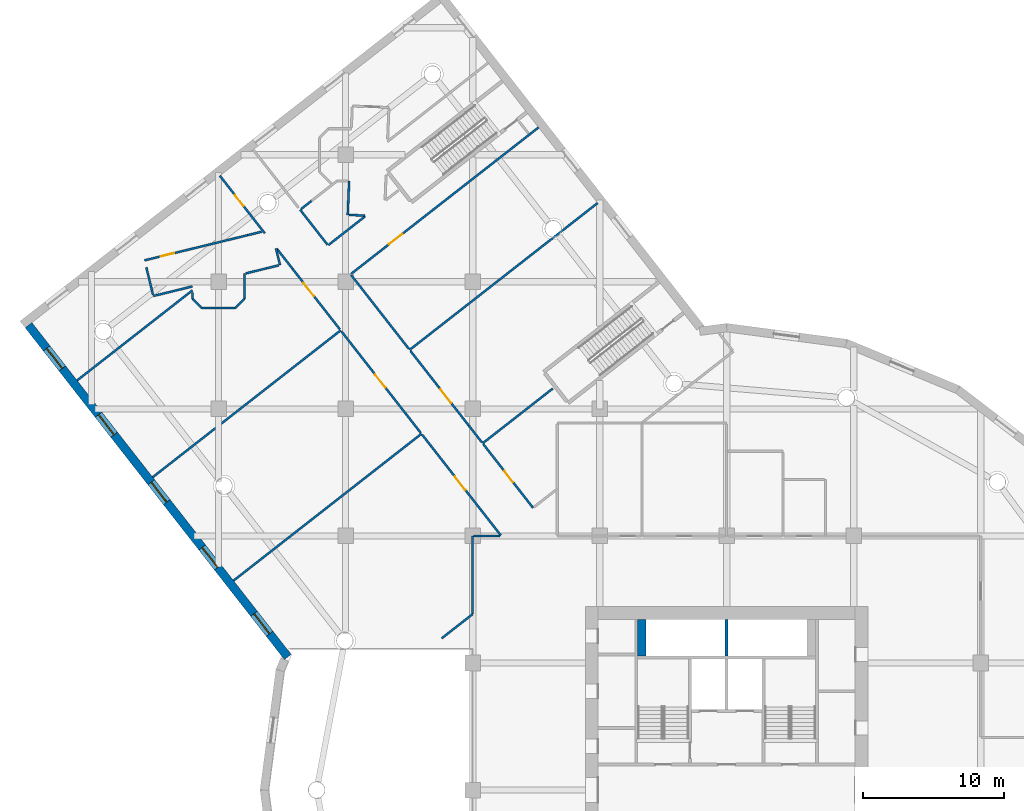
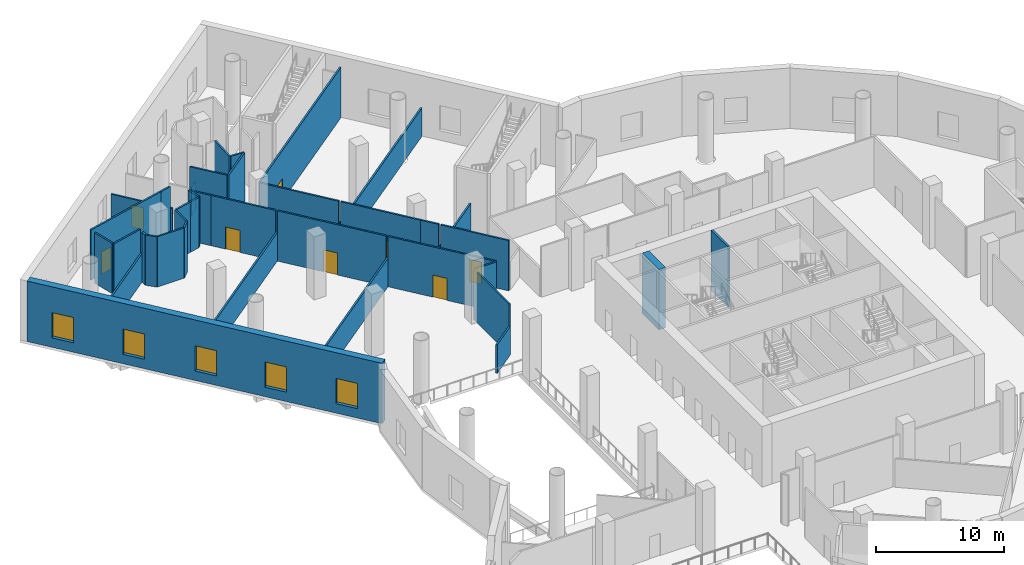
# One storey, part 8 of 24: 38 walls, 8 doors, 5 windows, 13 openings.
"""IFC4 building model written with IfcOpenShell, lengths in metres."""

from ifc_helpers import new_model, si_unit, direction, frame, frame_2d, origin, place, context, subcontext, project, spatial, rectangle, extrude, material, layer, layer_set, type_object, element, fill, save


model = new_model("IFC4")

# Units and contexts
model_context = context("Model", 3, precision=1e-05, world=origin(), true_north=direction((0.0, 1.0)))
body_context = subcontext(model_context, "Body", "Model", "MODEL_VIEW")
ifc_project = project(units=[si_unit("LENGTHUNIT", "METRE"), si_unit("AREAUNIT", "SQUARE_METRE"), si_unit("VOLUMEUNIT", "CUBIC_METRE"), si_unit("PLANEANGLEUNIT", "RADIAN"), si_unit("MASSUNIT", "GRAM", prefix="KILO")], contexts=[model_context])

# Site, building, storey
site_placement = place(None, origin())
site = spatial("IfcSite", under=ifc_project, at=site_placement, CompositionType="ELEMENT")
building_placement = place(site_placement, origin())
building = spatial("IfcBuilding", under=site, at=building_placement, Name="Tarsis Ring Headquarters", CompositionType="ELEMENT")
storey_placement = place(building_placement, frame((0.0, 0.0, 8.0)))
storey = spatial("IfcBuildingStorey", under=building, at=storey_placement, Name="L01", CompositionType="ELEMENT", Elevation=8.0)

# Walls
ifc_material_1 = material(Name="Plasterboard partition")
ifc_layer_1 = layer(ifc_material_1, 0.14990234375)
ifc_layer_set_1 = layer_set([ifc_layer_1], Name="PO-PW150")
wall_type_1 = type_object("IfcWallType", Name="PO-PW150", PredefinedType="PARTITIONING", material=ifc_layer_set_1)
wall_1_placement = place(storey_placement, frame((-21.6220703125, 25.238525390625, 0.0), z_axis=(0.0, 0.0, 1.0), x_axis=(-0.788007728406, -0.615665347386, 0.0)))
element("IfcWall", 1, at=wall_1_placement, inside=storey, type_object=wall_type_1, Name="L01 partition wall 2", PredefinedType="PARTITIONING", context=body_context, shape_type="SweptSolid", body=[
    extrude(rectangle(XDim=16.900146484375, YDim=0.14990234375, at=frame_2d((8.4501953125, 0.0))), origin(), (0.0, 0.0, 1.0), 2.699951171875),
])
wall_2_placement = place(storey_placement, frame((-27.34765625, 32.56689453125, 0.0), z_axis=(0.0, 0.0, 1.0), x_axis=(-0.788014736946, -0.61565637685, 0.0)))
element("IfcWall", 2, at=wall_2_placement, inside=storey, type_object=wall_type_1, Name="L01 partition wall 3", PredefinedType="PARTITIONING", context=body_context, shape_type="SweptSolid", body=[
    extrude(rectangle(XDim=16.89990234375, YDim=0.14990234375, at=frame_2d((8.449951171875, 0.0))), origin(), (0.0, 0.0, 1.0), 2.699951171875),
])
wall_3_placement = place(storey_placement, frame((-9.14208984375, 41.587890625, 0.0), z_axis=(0.0, 0.0, 1.0), x_axis=(-0.788007728406, -0.615665347386, 0.0)))
element("IfcWall", 3, at=wall_3_placement, inside=storey, type_object=wall_type_1, Name="L01 partition wall 4", PredefinedType="PARTITIONING", context=body_context, shape_type="SweptSolid", body=[
    extrude(rectangle(XDim=16.900146484375, YDim=0.14990234375, at=frame_2d((8.4501953125, 0.0))), origin(), (0.0, 0.0, 1.0), 2.699951171875),
])
wall_4_placement = place(storey_placement, frame((-37.85009765625, 35.402099609375, 0.0), z_axis=(0.0, 0.0, 1.0), x_axis=(-0.788009024615, -0.615663688328, 0.0)))
element("IfcWall", 4, at=wall_4_placement, inside=storey, type_object=wall_type_1, Name="L01 partition wall 15", PredefinedType="PARTITIONING", context=body_context, shape_type="SweptSolid", body=[
    extrude(rectangle(XDim=10.369384765625, YDim=0.14990234375, at=frame_2d((5.1845703125, 0.0))), origin(), (0.0, 0.0, 1.0), 2.699951171875),
])
wall_5_placement = place(storey_placement, frame((-12.31884765625, 28.446044921875, 0.0), z_axis=(0.0, 0.0, 1.0), x_axis=(-0.788001481242, -0.615673343227, 0.0)))
element("IfcWall", 5, at=wall_5_placement, inside=storey, type_object=wall_type_1, Name="L01 partition wall 44", PredefinedType="PARTITIONING", context=body_context, shape_type="SweptSolid", body=[
    extrude(rectangle(XDim=6.305908203125, YDim=0.14990234375, at=frame_2d((3.15283203125, 0.0))), origin(), (0.0, 0.0, 1.0), 2.699951171875),
])

# Wall, opening, door
wall_6_placement = place(storey_placement, frame((-32.7236328125, 39.447998046875, 0.0), z_axis=(0.0, 0.0, 1.0), x_axis=(-0.615666044367, 0.788007183859, 0.0)))
wall_6 = element("IfcWall", 6, at=wall_6_placement, inside=storey, type_object=wall_type_1, Name="L01 partition wall 55", PredefinedType="PARTITIONING", context=body_context, shape_type="SweptSolid", body=[
    extrude(rectangle(XDim=5.167724609375, YDim=0.14990234375, at=frame_2d((2.583984375, 0.0))), origin(), (0.0, 0.0, 1.0), 2.699951171875),
])
opening_1_placement = place(wall_6_placement, frame((2.447021484375, 0.0, 0.0)))
opening_1 = element("IfcOpeningElement", 7, at=opening_1_placement, cuts=wall_6, Name="Opening PO-D1A", PredefinedType="OPENING", context=body_context, shape_type="SweptSolid", body=[
    extrude(rectangle(XDim=1.0, YDim=2.10009765625, at=frame_2d((0.5, 1.050048828125))), frame((0.0, 0.0849609375, 0.0), z_axis=(0.0, -1.0, 0.0), x_axis=(1.0, 0.0, 0.0)), (0.0, 0.0, 1.0), 0.169921875),
])
ifc_material_2 = material(Name="Timber door", Category="wood")
door_type_1 = type_object("IfcDoorType", Name="PO-D1000-UNRATED", OperationType="NOTDEFINED", PredefinedType="DOOR", material=ifc_material_2)
door_1_placement = place(opening_1_placement, origin())
door_1 = element("IfcDoor", 8, at=door_1_placement, inside=storey, type_object=door_type_1, Name="Private dining room door", OperationType="SINGLE_SWING_LEFT", OverallHeight=2.10009765625, OverallWidth=1.0, PredefinedType="DOOR", context=body_context, shape_type="SweptSolid", body=[
    extrude(rectangle(XDim=1.0, YDim=2.10009765625, at=frame_2d((0.5, 1.050048828125))), frame((0.0, 0.02490234375, 0.0), z_axis=(0.0, -1.0, 0.0), x_axis=(1.0, 0.0, 0.0)), (0.0, 0.0, 1.0), 0.050048828125),
])
fill(opening_1, door_1)

# Walls
wall_7_placement = place(storey_placement, frame((-20.187744140625, 10.75, 0.0), z_axis=(0.0, 0.0, 1.0), x_axis=(0.788015041189, 0.615655987431, 0.0)))
element("IfcWall", 9, at=wall_7_placement, inside=storey, type_object=wall_type_1, Name="L01 partition wall 80", PredefinedType="PARTITIONING", context=body_context, shape_type="SweptSolid", body=[
    extrude(rectangle(XDim=2.7763671875, YDim=0.14990234375, at=frame_2d((1.38818359375, 0.0))), origin(), (0.0, 0.0, 1.0), 2.699951171875),
])
wall_8_placement = place(storey_placement, frame((-29.4189453125, 41.7353515625, 0.0), z_axis=(0.0, 0.0, 1.0), x_axis=(-0.787996580938, -0.615679615083, 0.0)))
element("IfcWall", 10, at=wall_8_placement, inside=storey, type_object=wall_type_1, Name="L01 partition wall 114", PredefinedType="PARTITIONING", context=body_context, shape_type="SweptSolid", body=[
    extrude(rectangle(XDim=0.932373046875, YDim=0.14990234375, at=frame_2d((0.46630859375, 0.0))), origin(), (0.0, 0.0, 1.0), 2.699951171875),
])

# Wall, opening, door
ifc_layer_2 = layer(ifc_material_1, 0.14990234375)
ifc_layer_set_2 = layer_set([ifc_layer_2], Name="PO-PW150R-4783")
wall_type_2 = type_object("IfcWallType", Name="PO-PW150R-4783", PredefinedType="PARTITIONING", material=ifc_layer_set_2)
wall_9_placement = place(storey_placement, frame((-13.3271484375, 46.944580078125, 0.0), z_axis=(0.0, 0.0, 1.0), x_axis=(-0.788009225699, -0.615663430953, 0.0)))
wall_9 = element("IfcWall", 11, at=wall_9_placement, inside=storey, type_object=wall_type_2, Name="L01 partition wall 5", PredefinedType="PARTITIONING", context=body_context, shape_type="SweptSolid", body=[
    extrude(rectangle(XDim=16.860107421875, YDim=0.14990234375, at=frame_2d((8.43017578125, 0.0))), origin(), (0.0, 0.0, 1.0), 4.782958984375),
])
opening_2_placement = place(wall_9_placement, frame((12.243408203125, 0.0, 0.0)))
opening_2 = element("IfcOpeningElement", 12, at=opening_2_placement, cuts=wall_9, Name="Opening PO-D2", PredefinedType="OPENING", context=body_context, shape_type="SweptSolid", body=[
    extrude(rectangle(XDim=1.199951171875, YDim=2.10009765625, at=frame_2d((0.60009765625, 1.050048828125))), frame((0.0, 0.0849609375, 0.0), z_axis=(0.0, -1.0, 0.0), x_axis=(1.0, 0.0, 0.0)), (0.0, 0.0, 1.0), 0.169921875),
])
door_type_2 = type_object("IfcDoorType", Name="PO-D1200", OperationType="NOTDEFINED", PredefinedType="DOOR", material=ifc_material_2)
door_2_placement = place(opening_2_placement, origin())
door_2 = element("IfcDoor", 13, at=door_2_placement, inside=storey, type_object=door_type_2, Name="Staff restaurant dining hall door", OperationType="SINGLE_SWING_RIGHT", OverallHeight=2.10009765625, OverallWidth=1.199951171875, PredefinedType="DOOR", context=body_context, shape_type="SweptSolid", body=[
    extrude(rectangle(XDim=1.199951171875, YDim=2.10009765625, at=frame_2d((0.60009765625, 1.050048828125))), frame((0.0, 0.02490234375, 0.0), z_axis=(0.0, -1.0, 0.0), x_axis=(1.0, 0.0, 0.0)), (0.0, 0.0, 1.0), 0.050048828125),
])
fill(opening_2, door_2)

wall_10_placement = place(storey_placement, frame((-21.671142578125, 25.301513671875, 0.0), z_axis=(0.0, 0.0, 1.0), x_axis=(-0.615666330752, 0.788006960108, 0.0)))
wall_10 = element("IfcWall", 14, at=wall_10_placement, inside=storey, type_object=wall_type_2, Name="L01 partition wall 26", PredefinedType="PARTITIONING", context=body_context, shape_type="SweptSolid", body=[
    extrude(rectangle(XDim=9.139892578125, YDim=0.14990234375, at=frame_2d((4.56982421875, 0.0))), origin(), (0.0, 0.0, 1.0), 4.782958984375),
])
opening_3_placement = place(wall_10_placement, frame((4.070068359375, 0.0, 0.0)))
opening_3 = element("IfcOpeningElement", 15, at=opening_3_placement, cuts=wall_10, Name="Opening PO-D2", PredefinedType="OPENING", context=body_context, shape_type="SweptSolid", body=[
    extrude(rectangle(XDim=1.199951171875, YDim=2.10009765625, at=frame_2d((0.60009765625, 1.050048828125))), frame((0.0, 0.0849609375, 0.0), z_axis=(0.0, -1.0, 0.0), x_axis=(1.0, 0.0, 0.0)), (0.0, 0.0, 1.0), 0.169921875),
])
door_3_placement = place(opening_3_placement, origin())
door_3 = element("IfcDoor", 16, at=door_3_placement, inside=storey, type_object=door_type_2, Name="Servery door", OperationType="SINGLE_SWING_LEFT", OverallHeight=2.10009765625, OverallWidth=1.199951171875, PredefinedType="DOOR", context=body_context, shape_type="SweptSolid", body=[
    extrude(rectangle(XDim=1.199951171875, YDim=2.10009765625, at=frame_2d((0.60009765625, 1.050048828125))), frame((0.0, 0.02490234375, 0.0), z_axis=(0.0, -1.0, 0.0), x_axis=(1.0, 0.0, 0.0)), (0.0, 0.0, 1.0), 0.050048828125),
])
fill(opening_3, door_3)

wall_11_placement = place(storey_placement, frame((-15.997802734375, 18.0400390625, 0.0), z_axis=(0.0, 0.0, 1.0), x_axis=(-0.615667586069, 0.788005979332, 0.0)))
wall_11 = element("IfcWall", 17, at=wall_11_placement, inside=storey, type_object=wall_type_2, Name="L01 partition wall 27", PredefinedType="PARTITIONING", context=body_context, shape_type="SweptSolid", body=[
    extrude(rectangle(XDim=9.05517578125, YDim=0.14990234375, at=frame_2d((4.527587890625, 0.0))), origin(), (0.0, 0.0, 1.0), 4.782958984375),
])
opening_4_placement = place(wall_11_placement, frame((4.09912109375, 0.0, 0.0)))
opening_4 = element("IfcOpeningElement", 18, at=opening_4_placement, cuts=wall_11, Name="Opening PO-D2", PredefinedType="OPENING", context=body_context, shape_type="SweptSolid", body=[
    extrude(rectangle(XDim=1.199951171875, YDim=2.10009765625, at=frame_2d((0.60009765625, 1.050048828125))), frame((0.0, 0.0849609375, 0.0), z_axis=(0.0, -1.0, 0.0), x_axis=(1.0, 0.0, 0.0)), (0.0, 0.0, 1.0), 0.169921875),
])
door_4_placement = place(opening_4_placement, origin())
door_4 = element("IfcDoor", 19, at=door_4_placement, inside=storey, type_object=door_type_2, Name="Staff restaurant dining hall door", OperationType="SINGLE_SWING_RIGHT", OverallHeight=2.10009765625, OverallWidth=1.199951171875, PredefinedType="DOOR", context=body_context, shape_type="SweptSolid", body=[
    extrude(rectangle(XDim=1.199951171875, YDim=2.10009765625, at=frame_2d((0.60009765625, 1.050048828125))), frame((0.0, 0.02490234375, 0.0), z_axis=(0.0, -1.0, 0.0), x_axis=(1.0, 0.0, 0.0)), (0.0, 0.0, 1.0), 0.050048828125),
])
fill(opening_4, door_4)

wall_12_placement = place(storey_placement, frame((-41.23681640625, 37.527587890625, 0.0), z_axis=(0.0, 0.0, 1.0), x_axis=(0.971417666319, 0.237376741833, 0.0)))
wall_12 = element("IfcWall", 20, at=wall_12_placement, inside=storey, type_object=wall_type_2, Name="L01 partition wall 33", PredefinedType="PARTITIONING", context=body_context, shape_type="SweptSolid", body=[
    extrude(rectangle(XDim=7.510009765625, YDim=0.14990234375, at=frame_2d((3.7548828125, 0.0))), origin(), (0.0, 0.0, 1.0), 4.782958984375),
])
opening_5_placement = place(wall_12_placement, frame((1.170654296875, 0.0, 0.0)))
opening_5 = element("IfcOpeningElement", 21, at=opening_5_placement, cuts=wall_12, Name="Opening PO-D1", PredefinedType="OPENING", context=body_context, shape_type="SweptSolid", body=[
    extrude(rectangle(XDim=1.0, YDim=2.10009765625, at=frame_2d((0.5, 1.050048828125))), frame((0.0, 0.0849609375, 0.0), z_axis=(0.0, -1.0, 0.0), x_axis=(1.0, 0.0, 0.0)), (0.0, 0.0, 1.0), 0.169921875),
])
door_type_3 = type_object("IfcDoorType", Name="PO-D1000", OperationType="NOTDEFINED", PredefinedType="DOOR", material=ifc_material_2)
door_5_placement = place(opening_5_placement, origin())
door_5 = element("IfcDoor", 22, at=door_5_placement, inside=storey, type_object=door_type_3, Name="Dry store door", OperationType="SINGLE_SWING_LEFT", OverallHeight=2.10009765625, OverallWidth=1.0, PredefinedType="DOOR", context=body_context, shape_type="SweptSolid", body=[
    extrude(rectangle(XDim=1.0, YDim=2.10009765625, at=frame_2d((0.5, 1.050048828125))), frame((0.0, 0.02490234375, 0.0), z_axis=(0.0, -1.0, 0.0), x_axis=(1.0, 0.0, 0.0)), (0.0, 0.0, 1.0), 0.050048828125),
])
fill(opening_5, door_5)

wall_13_placement = place(storey_placement, frame((-22.41015625, 31.1201171875, 0.0), z_axis=(0.0, 0.0, 1.0), x_axis=(0.61565390865, -0.788016665283, 0.0)))
wall_13 = element("IfcWall", 23, at=wall_13_placement, inside=storey, type_object=wall_type_2, Name="L01 partition wall 39", PredefinedType="PARTITIONING", context=body_context, shape_type="SweptSolid", body=[
    extrude(rectangle(XDim=6.722412109375, YDim=0.14990234375, at=frame_2d((3.361328125, 0.0))), origin(), (0.0, 0.0, 1.0), 4.782958984375),
])
opening_6_placement = place(wall_13_placement, frame((3.489990234375, 0.0, 0.0)))
opening_6 = element("IfcOpeningElement", 24, at=opening_6_placement, cuts=wall_13, Name="Opening PO-D2", PredefinedType="OPENING", context=body_context, shape_type="SweptSolid", body=[
    extrude(rectangle(XDim=1.199951171875, YDim=2.10009765625, at=frame_2d((0.60009765625, 1.050048828125))), frame((0.0, 0.0849609375, 0.0), z_axis=(0.0, -1.0, 0.0), x_axis=(1.0, 0.0, 0.0)), (0.0, 0.0, 1.0), 0.169921875),
])
door_6_placement = place(opening_6_placement, origin())
door_6 = element("IfcDoor", 25, at=door_6_placement, inside=storey, type_object=door_type_2, Name="Dish wash door", OperationType="SINGLE_SWING_LEFT", OverallHeight=2.10009765625, OverallWidth=1.199951171875, PredefinedType="DOOR", context=body_context, shape_type="SweptSolid", body=[
    extrude(rectangle(XDim=1.199951171875, YDim=2.10009765625, at=frame_2d((0.60009765625, 1.050048828125))), frame((0.0, 0.02490234375, 0.0), z_axis=(0.0, -1.0, 0.0), x_axis=(1.0, 0.0, 0.0)), (0.0, 0.0, 1.0), 0.050048828125),
])
fill(opening_6, door_6)

# Wall
wall_14_placement = place(storey_placement, frame((-26.607666015625, 36.49267578125, 0.0), z_axis=(0.0, 0.0, 1.0), x_axis=(0.615665389128, -0.788007695793, 0.0)))
element("IfcWall", 26, at=wall_14_placement, inside=storey, type_object=wall_type_2, Name="L01 partition wall 40", PredefinedType="PARTITIONING", context=body_context, shape_type="SweptSolid", body=[
    extrude(rectangle(XDim=6.657958984375, YDim=0.14990234375, at=frame_2d((3.3291015625, 0.0))), origin(), (0.0, 0.0, 1.0), 4.782958984375),
])

# Wall, opening, door
wall_15_placement = place(storey_placement, frame((-17.238525390625, 24.500732421875, 0.0), z_axis=(0.0, 0.0, 1.0), x_axis=(0.61565895113, -0.788012725718, 0.0)))
wall_15 = element("IfcWall", 27, at=wall_15_placement, inside=storey, type_object=wall_type_2, Name="L01 partition wall 50", PredefinedType="PARTITIONING", context=body_context, shape_type="SweptSolid", body=[
    extrude(rectangle(XDim=5.719970703125, YDim=0.14990234375, at=frame_2d((2.85986328125, 0.0))), origin(), (0.0, 0.0, 1.0), 4.782958984375),
])
opening_7_placement = place(wall_15_placement, frame((2.419921875, 0.0, 0.0)))
opening_7 = element("IfcOpeningElement", 28, at=opening_7_placement, cuts=wall_15, Name="Opening PO-D1", PredefinedType="OPENING", context=body_context, shape_type="SweptSolid", body=[
    extrude(rectangle(XDim=1.0, YDim=2.10009765625, at=frame_2d((0.5, 1.050048828125))), frame((0.0, 0.0849609375, 0.0), z_axis=(0.0, -1.0, 0.0), x_axis=(1.0, 0.0, 0.0)), (0.0, 0.0, 1.0), 0.169921875),
])
door_7_placement = place(opening_7_placement, origin())
door_7 = element("IfcDoor", 29, at=door_7_placement, inside=storey, type_object=door_type_3, Name="Cold store door", OperationType="SINGLE_SWING_RIGHT", OverallHeight=2.10009765625, OverallWidth=1.0, PredefinedType="DOOR", context=body_context, shape_type="SweptSolid", body=[
    extrude(rectangle(XDim=1.0, YDim=2.10009765625, at=frame_2d((0.5, 1.050048828125))), frame((0.0, 0.02490234375, 0.0), z_axis=(0.0, -1.0, 0.0), x_axis=(1.0, 0.0, 0.0)), (0.0, 0.0, 1.0), 0.050048828125),
])
fill(opening_7, door_7)

# Wall
wall_16_placement = place(storey_placement, frame((-18.0, 12.459228515625, 0.0), z_axis=(0.0, 0.0, 1.0), x_axis=(0.0, 1.0, 0.0)))
element("IfcWall", 30, at=wall_16_placement, inside=storey, type_object=wall_type_2, Name="L01 partition wall 51", PredefinedType="PARTITIONING", context=body_context, shape_type="SweptSolid", body=[
    extrude(rectangle(XDim=5.540771484375, YDim=0.14990234375, at=frame_2d((2.7705078125, 0.0))), origin(), (0.0, 0.0, 1.0), 4.782958984375),
])

# Wall, opening, door
wall_17_placement = place(storey_placement, frame((-27.39697265625, 32.630126953125, 0.0), z_axis=(0.0, 0.0, 1.0), x_axis=(-0.615680653303, 0.787995769753, 0.0)))
wall_17 = element("IfcWall", 31, at=wall_17_placement, inside=storey, type_object=wall_type_2, Name="L01 partition wall 52", PredefinedType="PARTITIONING", context=body_context, shape_type="SweptSolid", body=[
    extrude(rectangle(XDim=5.43505859375, YDim=0.14990234375, at=frame_2d((2.717529296875, 0.0))), origin(), (0.0, 0.0, 1.0), 4.782958984375),
])
opening_8_placement = place(wall_17_placement, frame((2.989990234375, 0.0, 0.0)))
opening_8 = element("IfcOpeningElement", 32, at=opening_8_placement, cuts=wall_17, Name="Opening PO-D2", PredefinedType="OPENING", context=body_context, shape_type="SweptSolid", body=[
    extrude(rectangle(XDim=1.199951171875, YDim=2.10009765625, at=frame_2d((0.60009765625, 1.050048828125))), frame((0.0, 0.0849609375, 0.0), z_axis=(0.0, -1.0, 0.0), x_axis=(1.0, 0.0, 0.0)), (0.0, 0.0, 1.0), 0.169921875),
])
door_8_placement = place(opening_8_placement, origin())
door_8 = element("IfcDoor", 33, at=door_8_placement, inside=storey, type_object=door_type_2, Name="Kitchen door", OperationType="SINGLE_SWING_RIGHT", OverallHeight=2.10009765625, OverallWidth=1.199951171875, PredefinedType="DOOR", context=body_context, shape_type="SweptSolid", body=[
    extrude(rectangle(XDim=1.199951171875, YDim=2.10009765625, at=frame_2d((0.60009765625, 1.050048828125))), frame((0.0, 0.02490234375, 0.0), z_axis=(0.0, -1.0, 0.0), x_axis=(1.0, 0.0, 0.0)), (0.0, 0.0, 1.0), 0.050048828125),
])
fill(opening_8, door_8)

# Walls
wall_18_placement = place(storey_placement, frame((-28.2138671875, 38.61328125, 0.0), z_axis=(0.0, 0.0, 1.0), x_axis=(0.788015370726, 0.615655565637, 0.0)))
element("IfcWall", 34, at=wall_18_placement, inside=storey, type_object=wall_type_2, Name="L01 partition wall 69", PredefinedType="PARTITIONING", context=body_context, shape_type="SweptSolid", body=[
    extrude(rectangle(XDim=3.2890625, YDim=0.14990234375, at=frame_2d((1.64453125, 0.0))), origin(), (0.0, 0.0, 1.0), 4.782958984375),
])
wall_19_placement = place(storey_placement, frame((-30.216796875, 41.112060546875, 0.0), z_axis=(0.0, 0.0, 1.0), x_axis=(0.615671181379, -0.788003170311, 0.0)))
element("IfcWall", 35, at=wall_19_placement, inside=storey, type_object=wall_type_2, Name="L01 partition wall 71", PredefinedType="PARTITIONING", context=body_context, shape_type="SweptSolid", body=[
    extrude(rectangle(XDim=3.142333984375, YDim=0.14990234375, at=frame_2d((1.5712890625, 0.0))), origin(), (0.0, 0.0, 1.0), 4.782958984375),
])
wall_20_placement = place(storey_placement, frame((-37.85009765625, 35.6787109375, 0.0), z_axis=(0.0, 0.0, 1.0), x_axis=(-0.971418316549, -0.237374080878, 0.0)))
element("IfcWall", 36, at=wall_20_placement, inside=storey, type_object=wall_type_2, Name="L01 partition wall 74", PredefinedType="PARTITIONING", context=body_context, shape_type="SweptSolid", body=[
    extrude(rectangle(XDim=2.85107421875, YDim=0.14990234375, at=frame_2d((1.425537109375, 0.0))), origin(), (0.0, 0.0, 1.0), 4.782958984375),
])
wall_21_placement = place(storey_placement, frame((-26.84814453125, 40.749755859375, 0.0), z_axis=(0.0, 0.0, 1.0), x_axis=(0.042074396798, 0.999114480495, 0.0)))
element("IfcWall", 37, at=wall_21_placement, inside=storey, type_object=wall_type_2, Name="L01 partition wall 83", PredefinedType="PARTITIONING", context=body_context, shape_type="SweptSolid", body=[
    extrude(rectangle(XDim=2.40234375, YDim=0.14990234375, at=frame_2d((1.201171875, 0.0))), origin(), (0.0, 0.0, 1.0), 4.782958984375),
])
wall_22_placement = place(storey_placement, frame((-34.800048828125, 34.14990234375, 0.0), z_axis=(0.0, 0.0, 1.0), x_axis=(-1.0, 0.0, 0.0)))
element("IfcWall", 38, at=wall_22_placement, inside=storey, type_object=wall_type_2, Name="L01 partition wall 84", PredefinedType="PARTITIONING", context=body_context, shape_type="SweptSolid", body=[
    extrude(rectangle(XDim=2.39990234375, YDim=0.14990234375, at=frame_2d((1.199951171875, 0.0))), origin(), (0.0, 0.0, 1.0), 4.782958984375),
])
wall_23_placement = place(storey_placement, frame((-40.638671875, 35.07958984375, 0.0), z_axis=(0.0, 0.0, 1.0), x_axis=(-0.237272208349, 0.971443204282, 0.0)))
element("IfcWall", 39, at=wall_23_placement, inside=storey, type_object=wall_type_2, Name="L01 partition wall 89", PredefinedType="PARTITIONING", context=body_context, shape_type="SweptSolid", body=[
    extrude(rectangle(XDim=2.009521484375, YDim=0.14990234375, at=frame_2d((1.0048828125, 0.0))), origin(), (0.0, 0.0, 1.0), 4.782958984375),
])
wall_24_placement = place(storey_placement, frame((-17.919921875, 18.0, 0.0), z_axis=(0.0, 0.0, 1.0), x_axis=(1.0, 0.0, 0.0)))
element("IfcWall", 40, at=wall_24_placement, inside=storey, type_object=wall_type_2, Name="L01 partition wall 93", PredefinedType="PARTITIONING", context=body_context, shape_type="SweptSolid", body=[
    extrude(rectangle(XDim=1.877197265625, YDim=0.14990234375, at=frame_2d((0.9384765625, 0.0))), origin(), (0.0, 0.0, 1.0), 4.782958984375),
])
wall_25_placement = place(storey_placement, frame((-30.7431640625, 36.912841796875, 0.0), z_axis=(0.0, 0.0, 1.0), x_axis=(-0.615615330418, 0.788046803784, 0.0)))
element("IfcWall", 41, at=wall_25_placement, inside=storey, type_object=wall_type_2, Name="L01 partition wall 96", PredefinedType="PARTITIONING", context=body_context, shape_type="SweptSolid", body=[
    extrude(rectangle(XDim=1.815185546875, YDim=0.14990234375, at=frame_2d((0.90771484375, 0.0))), origin(), (0.0, 0.0, 1.0), 4.782958984375),
])
wall_26_placement = place(storey_placement, frame((-34.14990234375, 36.582763671875, 0.0), z_axis=(0.0, 0.0, 1.0), x_axis=(0.0, -1.0, 0.0)))
element("IfcWall", 42, at=wall_26_placement, inside=storey, type_object=wall_type_2, Name="L01 partition wall 97", PredefinedType="PARTITIONING", context=body_context, shape_type="SweptSolid", body=[
    extrude(rectangle(XDim=1.78271484375, YDim=0.14990234375, at=frame_2d((0.891357421875, 0.0))), origin(), (0.0, 0.0, 1.0), 4.782958984375),
])
wall_27_placement = place(storey_placement, frame((-18.271484375, 25.82275390625, 0.0), z_axis=(0.0, 0.0, 1.0), x_axis=(0.615687748872, -0.787990225757, 0.0)))
element("IfcWall", 43, at=wall_27_placement, inside=storey, type_object=wall_type_2, Name="L01 partition wall 102", PredefinedType="PARTITIONING", context=body_context, shape_type="SweptSolid", body=[
    extrude(rectangle(XDim=1.517578125, YDim=0.14990234375, at=frame_2d((0.7587890625, 0.0))), origin(), (0.0, 0.0, 1.0), 4.782958984375),
])
wall_28_placement = place(storey_placement, frame((-32.614501953125, 36.957763671875, 0.0), z_axis=(0.0, 0.0, 1.0), x_axis=(-0.971458186746, -0.237210858529, 0.0)))
element("IfcWall", 44, at=wall_28_placement, inside=storey, type_object=wall_type_2, Name="L01 partition wall 103", PredefinedType="PARTITIONING", context=body_context, shape_type="SweptSolid", body=[
    extrude(rectangle(XDim=1.50048828125, YDim=0.14990234375, at=frame_2d((0.750244140625, 0.0))), origin(), (0.0, 0.0, 1.0), 4.782958984375),
])
wall_29_placement = place(storey_placement, frame((-25.61083984375, 40.69775390625, 0.0), z_axis=(0.0, 0.0, 1.0), x_axis=(-0.999119872021, 0.041946171842, 0.0)))
element("IfcWall", 45, at=wall_29_placement, inside=storey, type_object=wall_type_2, Name="L01 partition wall 106", PredefinedType="PARTITIONING", context=body_context, shape_type="SweptSolid", body=[
    extrude(rectangle(XDim=1.158203125, YDim=0.14990234375, at=frame_2d((0.5791015625, 0.0))), origin(), (0.0, 0.0, 1.0), 4.782958984375),
])
wall_30_placement = place(storey_placement, frame((-31.927490234375, 38.36376953125, 0.0), z_axis=(0.0, 0.0, 1.0), x_axis=(0.237516943182, -0.971383395834, 0.0)))
element("IfcWall", 46, at=wall_30_placement, inside=storey, type_object=wall_type_2, Name="L01 partition wall 108", PredefinedType="PARTITIONING", context=body_context, shape_type="SweptSolid", body=[
    extrude(rectangle(XDim=1.20263671875, YDim=0.14990234375, at=frame_2d((0.601318359375, 0.0))), origin(), (0.0, 0.0, 1.0), 4.782958984375),
])
wall_31_placement = place(storey_placement, frame((-33.94140625, 39.310302734375, 0.0), z_axis=(0.0, 0.0, 1.0), x_axis=(0.971419790696, 0.23736804807, 0.0)))
element("IfcWall", 47, at=wall_31_placement, inside=storey, type_object=wall_type_2, Name="L01 partition wall 110", PredefinedType="PARTITIONING", context=body_context, shape_type="SweptSolid", body=[
    extrude(rectangle(XDim=1.0234375, YDim=0.14990234375, at=frame_2d((0.51171875, 0.0))), origin(), (0.0, 0.0, 1.0), 4.782958984375),
])
wall_32_placement = place(storey_placement, frame((-31.7197265625, 37.176513671875, 0.0), z_axis=(0.0, 0.0, 1.0), x_axis=(-0.971392213224, -0.237480879413, 0.0)))
element("IfcWall", 48, at=wall_32_placement, inside=storey, type_object=wall_type_2, Name="L01 partition wall 115", PredefinedType="PARTITIONING", context=body_context, shape_type="SweptSolid", body=[
    extrude(rectangle(XDim=0.921142578125, YDim=0.14990234375, at=frame_2d((0.46044921875, 0.0))), origin(), (0.0, 0.0, 1.0), 4.782958984375),
])
for number, where, z_axis, x_axis, name in (
    (49, (-37.199951171875, 34.14990234375, 0.0), (0.0, 0.0, 1.0), (-0.707106781187, 0.707106781187, 0.0), "L01 partition wall 116"),
    (50, (-34.14990234375, 34.800048828125, 0.0), (0.0, 0.0, 1.0), (-0.707106781187, -0.707106781187, 0.0), "L01 partition wall 118"),
):
    element("IfcWall", number, at=place(storey_placement, frame(where, z_axis=z_axis, x_axis=x_axis)), inside=storey, type_object=wall_type_2, Name=name, PredefinedType="PARTITIONING", context=body_context, shape_type="SweptSolid", body=[
        extrude(rectangle(XDim=0.91943359375, YDim=0.14990234375, at=frame_2d((0.459716796875, 0.0))), origin(), (0.0, 0.0, 1.0), 4.782958984375),
    ])
wall_33_placement = place(storey_placement, frame((-37.85009765625, 34.800048828125, 0.0), z_axis=(0.0, 0.0, 1.0), x_axis=(0.0, 1.0, 0.0)))
element("IfcWall", 51, at=wall_33_placement, inside=storey, type_object=wall_type_2, Name="L01 partition wall 122", PredefinedType="PARTITIONING", context=body_context, shape_type="SweptSolid", body=[
    extrude(rectangle(XDim=0.442138671875, YDim=0.14990234375, at=frame_2d((0.22119140625, 0.0))), origin(), (0.0, 0.0, 1.0), 4.782958984375),
])

# Wall, openings, windows
ifc_material_3 = material(Name="Concrete C60/75", Category="concrete")
ifc_layer_3 = layer(ifc_material_3, 0.60009765625)
ifc_layer_set_3 = layer_set([ifc_layer_3], Name="PO-W600")
wall_type_3 = type_object("IfcWallType", Name="PO-W600", PredefinedType="SOLIDWALL", material=ifc_layer_set_3)
wall_34_placement = place(storey_placement, frame((-49.459228515625, 32.930908203125, 0.0), z_axis=(0.0, 0.0, 1.0), x_axis=(0.615664215937, -0.788008612399, 0.0)))
wall_34 = element("IfcWall", 52, at=wall_34_placement, inside=storey, type_object=wall_type_3, Name="L01 external wall 1", PredefinedType="SOLIDWALL", context=body_context, shape_type="SweptSolid", body=[
    extrude(rectangle(XDim=29.82470703125, YDim=0.60009765625, at=frame_2d((14.912353515625, 0.0))), origin(), (0.0, 0.0, 1.0), 5.75),
])
opening_9_placement = place(wall_34_placement, frame((2.08251953125, 0.0, 0.89990234375)))
opening_9 = element("IfcOpeningElement", 53, at=opening_9_placement, cuts=wall_34, Name="Opening PO-WN1", PredefinedType="OPENING", context=body_context, shape_type="SweptSolid", body=[
    extrude(rectangle(XDim=1.800048828125, YDim=2.39990234375, at=frame_2d((0.89990234375, 1.199951171875))), frame((0.0, 0.31005859375, 0.0), z_axis=(0.0, -1.0, 0.0), x_axis=(1.0, 0.0, 0.0)), (0.0, 0.0, 1.0), 0.6201171875),
])
opening_10_placement = place(wall_34_placement, frame((8.04736328125, 0.0, 0.89990234375)))
opening_10 = element("IfcOpeningElement", 54, at=opening_10_placement, cuts=wall_34, Name="Opening PO-WN1", PredefinedType="OPENING", context=body_context, shape_type="SweptSolid", body=[
    extrude(rectangle(XDim=1.800048828125, YDim=2.39990234375, at=frame_2d((0.89990234375, 1.199951171875))), frame((0.0, 0.31005859375, 0.0), z_axis=(0.0, -1.0, 0.0), x_axis=(1.0, 0.0, 0.0)), (0.0, 0.0, 1.0), 0.6201171875),
])
opening_11_placement = place(wall_34_placement, frame((14.1123046875, 0.0, 0.89990234375)))
opening_11 = element("IfcOpeningElement", 55, at=opening_11_placement, cuts=wall_34, Name="Opening PO-WN1", PredefinedType="OPENING", context=body_context, shape_type="SweptSolid", body=[
    extrude(rectangle(XDim=1.800048828125, YDim=2.39990234375, at=frame_2d((0.89990234375, 1.199951171875))), frame((0.0, 0.31005859375, 0.0), z_axis=(0.0, -1.0, 0.0), x_axis=(1.0, 0.0, 0.0)), (0.0, 0.0, 1.0), 0.6201171875),
])
opening_12_placement = place(wall_34_placement, frame((19.977294921875, 0.0, 0.89990234375)))
opening_12 = element("IfcOpeningElement", 56, at=opening_12_placement, cuts=wall_34, Name="Opening PO-WN1", PredefinedType="OPENING", context=body_context, shape_type="SweptSolid", body=[
    extrude(rectangle(XDim=1.800048828125, YDim=2.39990234375, at=frame_2d((0.89990234375, 1.199951171875))), frame((0.0, 0.31005859375, 0.0), z_axis=(0.0, -1.0, 0.0), x_axis=(1.0, 0.0, 0.0)), (0.0, 0.0, 1.0), 0.6201171875),
])
opening_13_placement = place(wall_34_placement, frame((25.942138671875, 0.0, 0.89990234375)))
opening_13 = element("IfcOpeningElement", 57, at=opening_13_placement, cuts=wall_34, Name="Opening PO-WN1", PredefinedType="OPENING", context=body_context, shape_type="SweptSolid", body=[
    extrude(rectangle(XDim=1.800048828125, YDim=2.39990234375, at=frame_2d((0.89990234375, 1.199951171875))), frame((0.0, 0.31005859375, 0.0), z_axis=(0.0, -1.0, 0.0), x_axis=(1.0, 0.0, 0.0)), (0.0, 0.0, 1.0), 0.6201171875),
])
ifc_material_4 = material(Name="Double glazing", Category="glass")
window_type = type_object("IfcWindowType", Name="PO-WN1800", PartitioningType="SINGLE_PANEL", PredefinedType="WINDOW", material=ifc_material_4)
window_1_placement = place(opening_9_placement, origin())
window_1 = element("IfcWindow", 58, at=window_1_placement, inside=storey, type_object=window_type, Name="L01 window 1.1", OverallHeight=2.39990234375, OverallWidth=1.800048828125, PartitioningType="SINGLE_PANEL", PredefinedType="WINDOW", context=body_context, shape_type="SweptSolid", body=[
    extrude(rectangle(XDim=1.800048828125, YDim=2.39990234375, at=frame_2d((0.89990234375, 1.199951171875))), frame((0.0, 0.030029296875, 0.0), z_axis=(0.0, -1.0, 0.0), x_axis=(1.0, 0.0, 0.0)), (0.0, 0.0, 1.0), 0.06005859375),
])
fill(opening_9, window_1)
window_2_placement = place(opening_10_placement, origin())
window_2 = element("IfcWindow", 59, at=window_2_placement, inside=storey, type_object=window_type, Name="L01 window 1.2", OverallHeight=2.39990234375, OverallWidth=1.800048828125, PartitioningType="SINGLE_PANEL", PredefinedType="WINDOW", context=body_context, shape_type="SweptSolid", body=[
    extrude(rectangle(XDim=1.800048828125, YDim=2.39990234375, at=frame_2d((0.89990234375, 1.199951171875))), frame((0.0, 0.030029296875, 0.0), z_axis=(0.0, -1.0, 0.0), x_axis=(1.0, 0.0, 0.0)), (0.0, 0.0, 1.0), 0.06005859375),
])
fill(opening_10, window_2)
window_3_placement = place(opening_11_placement, origin())
window_3 = element("IfcWindow", 60, at=window_3_placement, inside=storey, type_object=window_type, Name="L01 window 1.3", OverallHeight=2.39990234375, OverallWidth=1.800048828125, PartitioningType="SINGLE_PANEL", PredefinedType="WINDOW", context=body_context, shape_type="SweptSolid", body=[
    extrude(rectangle(XDim=1.800048828125, YDim=2.39990234375, at=frame_2d((0.89990234375, 1.199951171875))), frame((0.0, 0.030029296875, 0.0), z_axis=(0.0, -1.0, 0.0), x_axis=(1.0, 0.0, 0.0)), (0.0, 0.0, 1.0), 0.06005859375),
])
fill(opening_11, window_3)
window_4_placement = place(opening_12_placement, origin())
window_4 = element("IfcWindow", 61, at=window_4_placement, inside=storey, type_object=window_type, Name="L01 window 1.4", OverallHeight=2.39990234375, OverallWidth=1.800048828125, PartitioningType="SINGLE_PANEL", PredefinedType="WINDOW", context=body_context, shape_type="SweptSolid", body=[
    extrude(rectangle(XDim=1.800048828125, YDim=2.39990234375, at=frame_2d((0.89990234375, 1.199951171875))), frame((0.0, 0.030029296875, 0.0), z_axis=(0.0, -1.0, 0.0), x_axis=(1.0, 0.0, 0.0)), (0.0, 0.0, 1.0), 0.06005859375),
])
fill(opening_12, window_4)
window_5_placement = place(opening_13_placement, origin())
window_5 = element("IfcWindow", 62, at=window_5_placement, inside=storey, type_object=window_type, Name="L01 window 1.5", OverallHeight=2.39990234375, OverallWidth=1.800048828125, PartitioningType="SINGLE_PANEL", PredefinedType="WINDOW", context=body_context, shape_type="SweptSolid", body=[
    extrude(rectangle(XDim=1.800048828125, YDim=2.39990234375, at=frame_2d((0.89990234375, 1.199951171875))), frame((0.0, 0.030029296875, 0.0), z_axis=(0.0, -1.0, 0.0), x_axis=(1.0, 0.0, 0.0)), (0.0, 0.0, 1.0), 0.06005859375),
])
fill(opening_13, window_5)

# Walls
ifc_material_5 = material(Name="Concrete C32/40", Category="concrete")
ifc_layer_4 = layer(ifc_material_5, 0.60009765625)
ifc_layer_set_4 = layer_set([ifc_layer_4], Name="Shaft end wall 600 C32/40")
wall_type_4 = type_object("IfcWallType", Name="Shaft end wall 600 C32/40", PredefinedType="SOLIDWALL", material=ifc_layer_set_4)
wall_35_placement = place(storey_placement, frame((-6.0, 9.5, 0.0), z_axis=(0.0, 0.0, 1.0), x_axis=(0.0, 1.0, 0.0)))
element("IfcWall", 63, at=wall_35_placement, inside=storey, type_object=wall_type_4, Name="Core shaft wall NNE1", PredefinedType="SOLIDWALL", context=body_context, shape_type="SweptSolid", body=[
    extrude(rectangle(XDim=2.60009765625, YDim=0.60009765625, at=frame_2d((1.300048828125, 0.0))), origin(), (0.0, 0.0, 1.0), 5.75),
])
ifc_layer_5 = layer(ifc_material_5, 0.199951171875)
ifc_layer_set_5 = layer_set([ifc_layer_5], Name="Shaft wall 200 C32/40")
wall_type_5 = type_object("IfcWallType", Name="Shaft wall 200 C32/40", PredefinedType="SOLIDWALL", material=ifc_layer_set_5)
wall_36_placement = place(storey_placement, frame((0.0, 9.5, 0.0), z_axis=(0.0, 0.0, 1.0), x_axis=(0.0, 1.0, 0.0)))
element("IfcWall", 64, at=wall_36_placement, inside=storey, type_object=wall_type_5, Name="Core shaft wall ND2", PredefinedType="SOLIDWALL", context=body_context, shape_type="SweptSolid", body=[
    extrude(rectangle(XDim=2.60009765625, YDim=0.199951171875, at=frame_2d((1.300048828125, 0.0))), origin(), (0.0, 0.0, 1.0), 5.75),
])

save(model, "model.ifc")
